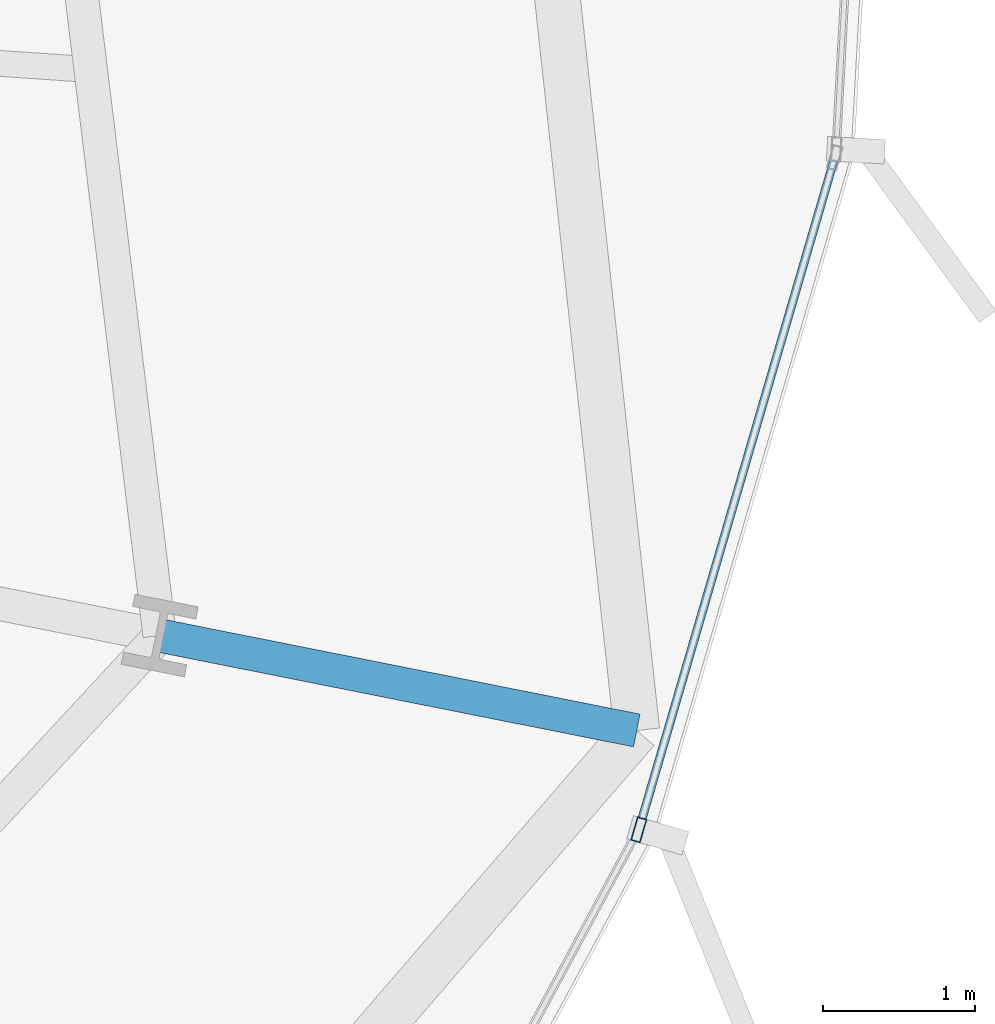
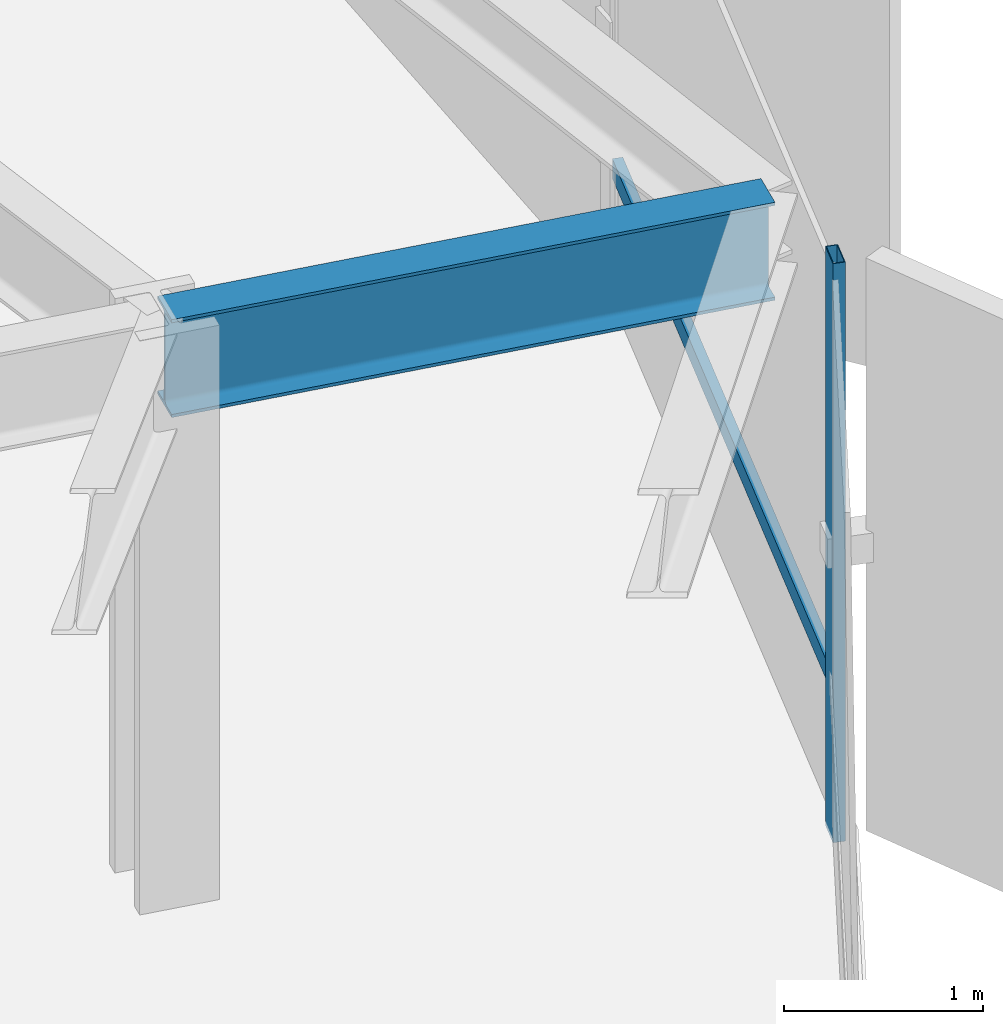
# One storey, part 16 of 39: 2 members, 1 beam, 1 element without a shape of its own.
"""IFC4 building model written with IfcOpenShell, lengths in metres."""

import ifcopenshell
import ifcopenshell.guid

model = None  # the IFC model being written
_history = None  # IfcOwnerHistory: only IFC2X3 demands one
_inside = {}  # id of a spatial element -> (the spatial element, [elements in it])
_under = {}  # id of a project, library or spatial element -> (it, [spatial elements below it])
_declared = {}  # id of a project -> (the project, [libraries it declares])
_typed = {}  # id of a type object -> (the type object, [elements of that type])
_made_of = {}  # id of a material, layer set ... -> (it, [elements and type objects made of it])


def new_model(schema):
    """Start an empty IFC model of exactly this schema.

    Asked for "IFC4X3", IfcOpenShell would pick the latest addendum, in which some entities
    have other attributes; the version numbers below select the first issue.
    IFC2X3 requires an IfcOwnerHistory on every rooted entity: one is made here for all.
    """
    global model, _history
    if schema == "IFC4X3":
        model = ifcopenshell.file(schema_version=(4, 3, 0, 0))
    else:
        model = ifcopenshell.file(schema=schema)
    _inside.clear()
    _under.clear()
    _declared.clear()
    _typed.clear()
    _made_of.clear()
    _history = None
    if model.schema == "IFC2X3":
        org = make("IfcOrganization", Name="unknown")
        user = make(
            "IfcPersonAndOrganization",
            ThePerson=make("IfcPerson", FamilyName="unknown"),
            TheOrganization=org,
        )
        app = make(
            "IfcApplication",
            ApplicationDeveloper=org,
            Version="unknown",
            ApplicationFullName="unknown",
            ApplicationIdentifier="unknown",
        )
        _history = make(
            "IfcOwnerHistory",
            OwningUser=user,
            OwningApplication=app,
            ChangeAction="ADDED",
            CreationDate=0,
        )
    return model


def make(cls, **values):
    """One entity of the class cls with the attributes given. An attribute that is None is left unset."""
    return model.create_entity(
        cls, **{name: value for name, value in values.items() if value is not None}
    )


def rooted(cls, **values):
    """An entity with a GlobalId (a new one), such as an element, a storey or a relation."""
    return make(cls, GlobalId=ifcopenshell.guid.new(), OwnerHistory=_history, **values)


def si_unit(unit_type, name, prefix=None):
    """IfcSIUnit, for example si_unit("LENGTHUNIT", "METRE", prefix="MILLI")."""
    return make("IfcSIUnit", UnitType=unit_type, Prefix=prefix, Name=name)


def assignment(units):
    """IfcUnitAssignment: the units of a project."""
    return None if units is None else make("IfcUnitAssignment", Units=units)


def point(xyz):
    """IfcCartesianPoint."""
    return None if xyz is None else make("IfcCartesianPoint", Coordinates=xyz)


def direction(xyz):
    """IfcDirection."""
    return None if xyz is None else make("IfcDirection", DirectionRatios=xyz)


def frame(location, z_axis=None, x_axis=None):
    """IfcAxis2Placement3D, a coordinate frame: its origin and axes. An axis left out is left unset."""
    return make(
        "IfcAxis2Placement3D",
        Location=point(location),
        Axis=direction(z_axis),
        RefDirection=direction(x_axis),
    )


def frame_2d(location, x_axis=None):
    """IfcAxis2Placement2D, a coordinate frame in the plane: its origin and x axis."""
    return make(
        "IfcAxis2Placement2D", Location=point(location), RefDirection=direction(x_axis)
    )


def origin():
    """The frame at (0, 0, 0) with its axes left unset."""
    return frame((0.0, 0.0, 0.0))


def origin_2d():
    """The frame at (0, 0) in the plane with its x axis left unset."""
    return frame_2d((0.0, 0.0))


def place(relative_to, where):
    """IfcLocalPlacement: puts the frame where relative to a parent placement (None: the world)."""
    return make(
        "IfcLocalPlacement", PlacementRelTo=relative_to, RelativePlacement=where
    )


def context(
    kind, dimensions, precision=None, world=None, true_north=None, identifier=None
):
    """IfcGeometricRepresentationContext, for example the 3D "Model" context."""
    return make(
        "IfcGeometricRepresentationContext",
        ContextIdentifier=identifier,
        ContextType=kind,
        CoordinateSpaceDimension=dimensions,
        Precision=precision,
        WorldCoordinateSystem=world,
        TrueNorth=true_north,
    )


def subcontext(parent, identifier, kind, view, scale=None):
    """IfcGeometricRepresentationSubContext, for example "Body" below "Model"."""
    return make(
        "IfcGeometricRepresentationSubContext",
        ContextIdentifier=identifier,
        ContextType=kind,
        ParentContext=parent,
        TargetScale=scale,
        TargetView=view,
    )


def project(units=None, contexts=None):
    """IfcProject with its units and contexts."""
    return rooted(
        "IfcProject",
        Name="project",
        RepresentationContexts=contexts,
        UnitsInContext=assignment(units),
    )


def spatial(cls, under=None, at=None, **own):
    """A site, building, storey or space (cls), placed at a placement, below another one or the project."""
    s = rooted(cls, ObjectPlacement=at, **own)
    if under is not None:
        _under.setdefault(under.id(), (under, []))[1].append(s)
    return s


def profile(cls, at=None, kind="AREA", **sizes):
    """A parametric profile (cls). Its sizes go by their IFC names, for example OverallWidth=200.0."""
    return make(cls, ProfileType=kind, Position=at, **sizes)


def hollow_rectangle(**sizes):
    """IfcRectangleHollowProfileDef."""
    return profile("IfcRectangleHollowProfileDef", **sizes)


def i_section(**sizes):
    """IfcIShapeProfileDef."""
    return profile("IfcIShapeProfileDef", **sizes)


def extrude(swept, where, along, depth):
    """IfcExtrudedAreaSolid: the profile swept, set in the frame where, extruded along a direction by depth."""
    return make(
        "IfcExtrudedAreaSolid",
        SweptArea=swept,
        Position=where,
        ExtrudedDirection=direction(along),
        Depth=depth,
    )


def shape(context_of_items, identifier, shape_type, items):
    """IfcShapeRepresentation: the items that make up one representation, for example the "Body"."""
    return make(
        "IfcShapeRepresentation",
        ContextOfItems=context_of_items,
        RepresentationIdentifier=identifier,
        RepresentationType=shape_type,
        Items=items,
    )


def source(mapping_origin, context_of_items, identifier, shape_type, items):
    """IfcRepresentationMap: a shape defined once, which mapped items show again and again."""
    return make(
        "IfcRepresentationMap",
        MappingOrigin=mapping_origin,
        MappedRepresentation=shape(context_of_items, identifier, shape_type, items),
    )


def transform(
    local_origin,
    x_axis=None,
    y_axis=None,
    z_axis=None,
    scale=None,
    scale2=None,
    scale3=None,
    uniform=True,
):
    """IfcCartesianTransformationOperator3D, or its non-uniform kind. x_axis, y_axis, z_axis: its Axis1, 2, 3."""
    if uniform:
        return make(
            "IfcCartesianTransformationOperator3D",
            Axis1=direction(x_axis),
            Axis2=direction(y_axis),
            LocalOrigin=point(local_origin),
            Scale=scale,
            Axis3=direction(z_axis),
        )
    return make(
        "IfcCartesianTransformationOperator3DnonUniform",
        Axis1=direction(x_axis),
        Axis2=direction(y_axis),
        LocalOrigin=point(local_origin),
        Scale=scale,
        Axis3=direction(z_axis),
        Scale2=scale2,
        Scale3=scale3,
    )


def mapped(mapping_source, mapping_target):
    """IfcMappedItem: shows the shape of a source again, moved by a transform."""
    return make(
        "IfcMappedItem", MappingSource=mapping_source, MappingTarget=mapping_target
    )


def material(Name=None, Category=None):
    """IfcMaterial."""
    return make("IfcMaterial", Name=Name, Category=Category)


def layer(
    of_material, thickness, ventilated=None, Name=None, Category=None, Priority=None
):
    """IfcMaterialLayer: one layer of a wall or slab, of a material (None: an air gap)."""
    return make(
        "IfcMaterialLayer",
        Material=of_material,
        LayerThickness=thickness,
        IsVentilated=ventilated,
        Name=Name,
        Category=Category,
        Priority=Priority,
    )


def layer_set(layers, Name=None):
    """IfcMaterialLayerSet."""
    return make("IfcMaterialLayerSet", MaterialLayers=layers, LayerSetName=Name)


def material_profile(
    of_material, cross_section, Name=None, Category=None, Priority=None
):
    """IfcMaterialProfile: a cross section and its material."""
    return make(
        "IfcMaterialProfile",
        Name=Name,
        Material=of_material,
        Profile=cross_section,
        Priority=Priority,
        Category=Category,
    )


def profile_set(profiles, Name=None, composite=None):
    """IfcMaterialProfileSet."""
    return make(
        "IfcMaterialProfileSet",
        Name=Name,
        MaterialProfiles=profiles,
        CompositeProfile=composite,
    )


def made_of(thing, what):
    """Note that an element or type object is made of a material, layer set ...; save() writes the relation."""
    if what is not None:
        _made_of.setdefault(what.id(), (what, []))[1].append(thing)
    return thing


def type_object(cls, material=None, **own):
    """A type object (cls), such as IfcWallType, which elements share."""
    return made_of(rooted(cls, **own), material)


def element(
    cls,
    number,
    at=None,
    inside=None,
    cuts=None,
    type_object=None,
    material=None,
    context=None,
    identifier="Body",
    shape_type=None,
    held_by="IfcProductDefinitionShape",
    body=None,
    shapes=None,
    **own,
):
    """One element of the class cls, such as IfcWall. Its Tag is "e" and its number.

    at: its placement. inside: the storey or other place that contains it. cuts: it is an
    opening in that element (IfcRelVoidsElement). A single representation is given by context,
    identifier, shape_type and body (its items); several are given by shapes. held_by: the class
    of the entity that holds the representations. save() writes the other relations.
    """
    e = rooted(cls, Tag="e%d" % number, ObjectPlacement=at, **own)
    if body is not None:
        shapes = [shape(context, identifier, shape_type, body)]
    if shapes is not None:
        e.Representation = make(held_by, Representations=shapes)
    if inside is not None:
        _inside.setdefault(inside.id(), (inside, []))[1].append(e)
    if cuts is not None:
        rooted(
            "IfcRelVoidsElement", RelatingBuildingElement=cuts, RelatedOpeningElement=e
        )
    if type_object is not None:
        _typed.setdefault(type_object.id(), (type_object, []))[1].append(e)
    return made_of(e, material)


def aggregate(whole, parts):
    """IfcRelAggregates: a whole, such as a stair, and the parts it consists of."""
    return rooted("IfcRelAggregates", RelatingObject=whole, RelatedObjects=parts)


def save(model, path):
    """Write the relations noted so far, then the file.

    IfcRelAggregates (storeys below a building ...), IfcRelContainedInSpatialStructure (elements
    in a storey), IfcRelDefinesByType, IfcRelAssociatesMaterial and IfcRelDeclares: one each for
    every whole, place, type object, material and project.
    """
    for whole, parts in _under.values():
        aggregate(whole, parts)
    for where, things in _inside.values():
        rooted(
            "IfcRelContainedInSpatialStructure",
            RelatedElements=things,
            RelatingStructure=where,
        )
    for kind, things in _typed.values():
        rooted("IfcRelDefinesByType", RelatedObjects=things, RelatingType=kind)
    for what, things in _made_of.values():
        rooted("IfcRelAssociatesMaterial", RelatedObjects=things, RelatingMaterial=what)
    for by, libraries in _declared.values():
        rooted("IfcRelDeclares", RelatingContext=by, RelatedDefinitions=libraries)
    model.write(path)


model = new_model("IFC4")

# Units and contexts
model_context = context("Model", 3, precision=1e-05, world=origin(), true_north=direction((0.0, 1.0)))
body_context = subcontext(model_context, "Body", "Model", "MODEL_VIEW")
ifc_project = project(units=[si_unit("LENGTHUNIT", "METRE"), si_unit("AREAUNIT", "SQUARE_METRE"), si_unit("VOLUMEUNIT", "CUBIC_METRE"), si_unit("PLANEANGLEUNIT", "RADIAN"), si_unit("MASSUNIT", "GRAM", prefix="KILO"), si_unit("THERMODYNAMICTEMPERATUREUNIT", "KELVIN")], contexts=[model_context])

# Site, building, storey
site_placement = place(None, origin())
site = spatial("IfcSite", under=ifc_project, at=site_placement, CompositionType="ELEMENT")
building_placement = place(site_placement, origin())
building = spatial("IfcBuilding", under=site, at=building_placement, Name="Kethvar Cultural Tower", CompositionType="ELEMENT")
storey_placement = place(building_placement, frame((0.0, 0.0, 44.800048828125)))
storey = spatial("IfcBuildingStorey", under=building, at=storey_placement, Name="L10", CompositionType="ELEMENT", Elevation=44.800048828125)

# Beam
ifc_material_1 = material(Name="Steel S355J2", Category="steel")
ifc_material_profile_1 = material_profile(ifc_material_1, i_section(OverallWidth=0.219970703125, OverallDepth=0.60009765625, WebThickness=0.011962890625, FlangeThickness=0.01904296875, FilletRadius=0.02392578125, at=origin_2d()), Name="Steel S355J2 — IPE600")
ifc_profile_set_1 = profile_set([ifc_material_profile_1], Name="Steel S355J2 — IPE600")
beam_type = type_object("IfcBeamType", Name="BM-IPE600", PredefinedType="BEAM", material=ifc_profile_set_1)
shared_shape_1 = source(origin(), body_context, "Body", "SweptSolid", [
    extrude(i_section(OverallWidth=0.219970703125, OverallDepth=0.60009765625, WebThickness=0.011962890625, FlangeThickness=0.01904296875, FilletRadius=0.02392578125, at=origin_2d()), origin(), (0.0, 0.0, 1.0), 3.199951171875),
])
beam_placement = place(storey_placement, frame((74.9912109375, 22.1923828125, 3.248046875), z_axis=(0.980785550224, -0.195088965533, 0.0), x_axis=(0.195088965533, 0.980785550224, 0.0)))
element("IfcBeam", 1, at=beam_placement, inside=storey, type_object=beam_type, Name="L10 Perimeter Cantilever Beam RC-16", PredefinedType="BEAM", context=body_context, shape_type="MappedRepresentation", body=[
    mapped(shared_shape_1, transform((0.0, 0.0, 0.0), scale=1.0)),
])

# Curtain wall, members
ifc_material_2 = material(Name="Aluminium 6063-T6", Category="aluminium")
ifc_layer = layer(ifc_material_2, 0.179931640625, Name="Aluminium 6063-T6", Category="aluminium")
ifc_layer_set = layer_set([ifc_layer], Name="Aluminium 6063-T6 (180 mm)")
curtain_wall_type = type_object("IfcCurtainWallType", Name="CW-SYS-02-Z1", PredefinedType="NOTDEFINED", material=ifc_layer_set)
curtain_wall_placement = place(storey_placement, origin())
curtain_wall = element("IfcCurtainWall", 2, at=curtain_wall_placement, inside=storey, type_object=curtain_wall_type, Name="L10 Curtain Wall Run 06", PredefinedType="NOTDEFINED")
ifc_material_profile_2 = material_profile(ifc_material_2, hollow_rectangle(XDim=0.06494140625, YDim=0.159912109375, WallThickness=0.0048828125, at=origin_2d()), Name="Aluminium 6063-T6 — RHS160x65x5")
ifc_profile_set_2 = profile_set([ifc_material_profile_2], Name="Aluminium 6063-T6 — RHS160x65x5")
member_type_1 = type_object("IfcMemberType", Name="CW-SYS-02-Z1-MUL", PredefinedType="MULLION", material=ifc_profile_set_2)
shared_shape_2 = source(origin(), body_context, "Body", "SweptSolid", [
    extrude(hollow_rectangle(XDim=0.06494140625, YDim=0.159912109375, WallThickness=0.0048828125, at=origin_2d()), origin(), (0.0, 0.0, 1.0), 3.550048828125),
])
member_1_placement = place(storey_placement, frame((78.142822265625, 20.914794921875, 0.0), z_axis=(0.0, 0.0, 1.0), x_axis=(-0.960064504883, 0.279778745555, 0.0)))
member_1 = element("IfcMember", 3, at=member_1_placement, type_object=member_type_1, Name="CW-L10-R06 Mullion 6", PredefinedType="MULLION", context=body_context, shape_type="MappedRepresentation", body=[
    mapped(shared_shape_2, transform((0.0, 0.0, 0.0), scale=1.0)),
])
ifc_material_profile_3 = material_profile(ifc_material_2, hollow_rectangle(XDim=0.054931640625, YDim=0.1201171875, WallThickness=0.00390625, at=origin_2d()), Name="Aluminium 6063-T6 — RHS120x55x4")
ifc_profile_set_3 = profile_set([ifc_material_profile_3], Name="Aluminium 6063-T6 — RHS120x55x4")
member_type_2 = type_object("IfcMemberType", Name="CW-SYS-02-Z1-TRN", PredefinedType="USERDEFINED", material=ifc_profile_set_3)
shared_shape_3 = source(origin(), body_context, "Body", "SweptSolid", [
    extrude(hollow_rectangle(XDim=0.054931640625, YDim=0.1201171875, WallThickness=0.00390625, at=origin_2d()), origin(), (0.0, 0.0, 1.0), 4.553955078125),
])
member_2_placement = place(storey_placement, frame((78.156005859375, 20.959716796875, 0.949951171875), z_axis=(0.279794128558, 0.960060021886, 0.0), x_axis=(-0.960060021886, 0.279794128558, 0.0)))
member_2 = element("IfcMember", 4, at=member_2_placement, type_object=member_type_2, Name="CW-L10-R06 Transom 6", ObjectType="TRANSOM", PredefinedType="USERDEFINED", context=body_context, shape_type="MappedRepresentation", body=[
    mapped(shared_shape_3, transform((0.0, 0.0, 0.0), scale=1.0)),
])
aggregate(curtain_wall, [member_1, member_2])

save(model, "model.ifc")
